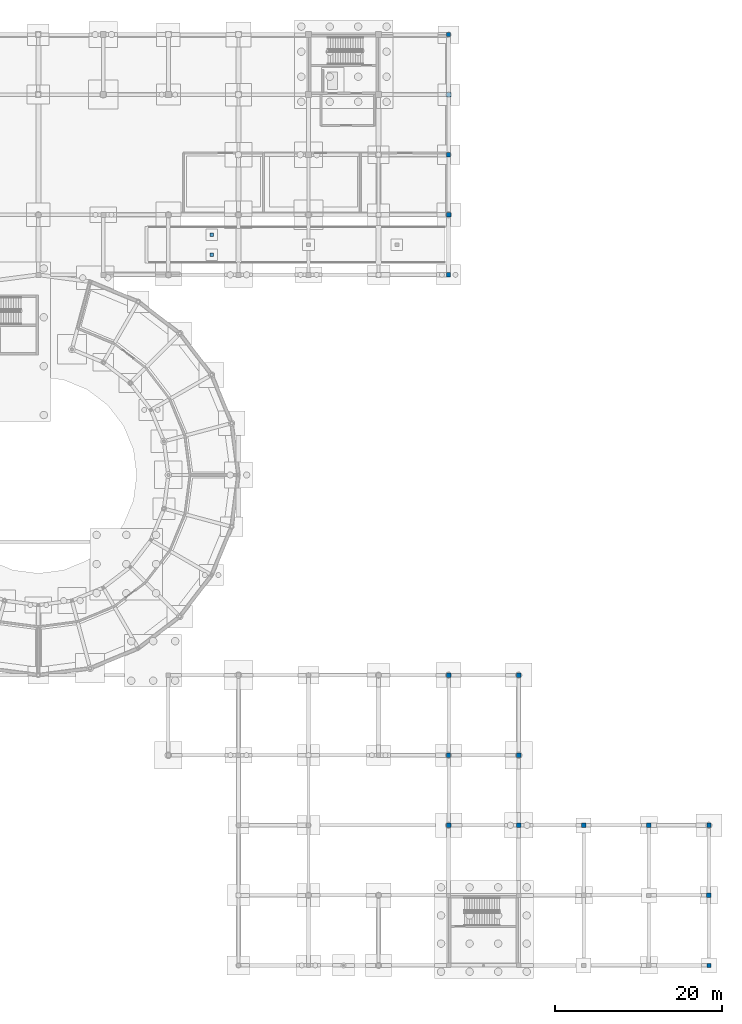
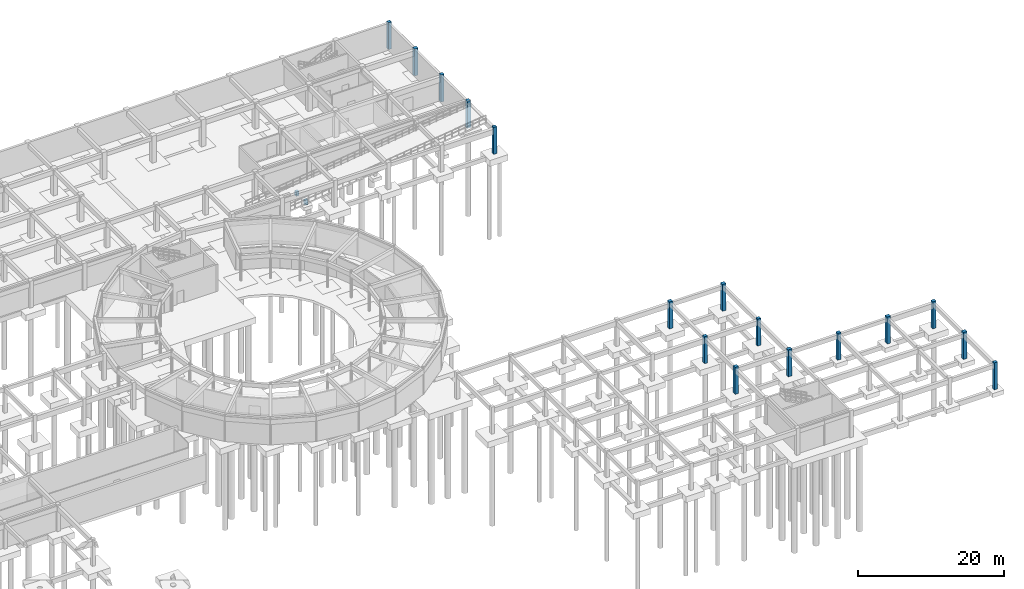
# One storey, part 23 of 43: 18 columns.
"""IFC4 building model written with IfcOpenShell, lengths in metres."""

from ifc_helpers import new_model, si_unit, derived_unit, direction, frame, origin, origin_2d, place, context, subcontext, project, spatial, rectangle, extrude, material, material_profile, profile_set, type_object, element, save


model = new_model("IFC4")

# Units and contexts
model_context = context("Model", 3, precision=1e-05, world=origin(), true_north=direction((0.0, 1.0)))
body_context = subcontext(model_context, "Body", "Model", "MODEL_VIEW")
ifc_project = project(units=[si_unit("LENGTHUNIT", "METRE"), si_unit("AREAUNIT", "SQUARE_METRE"), si_unit("VOLUMEUNIT", "CUBIC_METRE"), si_unit("PLANEANGLEUNIT", "RADIAN"), si_unit("MASSUNIT", "GRAM", prefix="KILO"), derived_unit("THERMALTRANSMITTANCEUNIT", [(si_unit("POWERUNIT", "WATT"), 1), (si_unit("AREAUNIT", "SQUARE_METRE"), -1), (si_unit("THERMODYNAMICTEMPERATUREUNIT", "KELVIN"), -1)])], contexts=[model_context])

# Site, building, storey
site_placement = place(None, origin())
site = spatial("IfcSite", under=ifc_project, at=site_placement, CompositionType="ELEMENT")
building_placement = place(site_placement, origin())
building = spatial("IfcBuilding", under=site, at=building_placement, Name="Yasenodar Specialist Clinic", CompositionType="ELEMENT")
storey_placement = place(building_placement, frame((0.0, 0.0, -4.5)))
storey = spatial("IfcBuildingStorey", under=building, at=storey_placement, Name="B1", CompositionType="ELEMENT", Elevation=-4.5)

# Columns
ifc_material = material(Name="Concrete C35/45", Category="concrete")
ifc_material_profile_1 = material_profile(ifc_material, rectangle(XDim=0.449951171875, YDim=0.449951171875, at=origin_2d()), Name="RC 450x450")
ifc_profile_set_1 = profile_set([ifc_material_profile_1], Name="Concrete C35/45")
column_type_1 = type_object("IfcColumnType", Name="COL-RC-450", PredefinedType="COLUMN", material=ifc_profile_set_1)
for number, where, z_axis, x_axis, name in (
    (1, (101.800048828125, 85.199951171875, 0.0), (0.0, 0.0, 1.0), (1.0, 0.0, 0.0), "B1 Vehicle Ramp RMP-01 Support Pier 1"),
    (2, (101.800048828125, 87.60009765625, 0.0), (0.0, 0.0, 1.0), (1.0, 0.0, 0.0), "B1 Vehicle Ramp RMP-01 Support Pier 2"),
):
    element("IfcColumn", number, at=place(storey_placement, frame(where, z_axis=z_axis, x_axis=x_axis)), inside=storey, type_object=column_type_1, Name=name, PredefinedType="COLUMN", context=body_context, shape_type="SweptSolid", body=[
        extrude(rectangle(XDim=0.449951171875, YDim=0.449951171875, at=origin_2d()), origin(), (0.0, 0.0, 1.0), 0.73876953125),
    ])
ifc_material_profile_2 = material_profile(ifc_material, rectangle(XDim=0.5, YDim=0.5, at=origin_2d()), Name="RC 500x500")
ifc_profile_set_2 = profile_set([ifc_material_profile_2], Name="Concrete C35/45")
column_type_2 = type_object("IfcColumnType", Name="COL-RC-500", PredefinedType="COLUMN", material=ifc_profile_set_2)
for number, where, z_axis, x_axis, name in (
    (3, (130.199951171875, 25.199951171875, 0.0), (0.0, 0.0, 1.0), (1.0, 0.0, 0.0), "B1 Column V3-149"),
    (4, (130.199951171875, 82.800048828125, 0.0), (0.0, 0.0, 1.0), (1.0, 0.0, 0.0), "B1 Column V5R-151"),
    (5, (130.199951171875, 97.199951171875, 0.0), (0.0, 0.0, 1.0), (1.0, 0.0, 0.0), "B1 Column V5R-153"),
    (6, (130.199951171875, 111.60009765625, 0.0), (0.0, 0.0, 1.0), (1.0, 0.0, 0.0), "B1 Column V5R-155"),
    (7, (138.60009765625, 25.199951171875, 0.0), (0.0, 0.0, 1.0), (1.0, 0.0, 0.0), "B1 Column V3-159"),
    (8, (146.39990234375, 16.800048828125, 0.0), (0.0, 0.0, 1.0), (1.0, 0.0, 0.0), "B1 Column V3E-163"),
    (9, (161.39990234375, 0.0, 0.0), (0.0, 0.0, 1.0), (1.0, 0.0, 0.0), "B1 Column V3E-167"),
    (10, (161.39990234375, 16.800048828125, 0.0), (0.0, 0.0, 1.0), (1.0, 0.0, 0.0), "B1 Column V3E-169"),
):
    element("IfcColumn", number, at=place(storey_placement, frame(where, z_axis=z_axis, x_axis=x_axis)), inside=storey, type_object=column_type_2, Name=name, PredefinedType="COLUMN", context=body_context, shape_type="SweptSolid", body=[
        extrude(rectangle(XDim=0.5, YDim=0.5, at=origin_2d()), origin(), (0.0, 0.0, 1.0), 4.5),
    ])
ifc_material_profile_3 = material_profile(ifc_material, rectangle(XDim=0.550048828125, YDim=0.550048828125, at=origin_2d()), Name="RC 550x550")
ifc_profile_set_3 = profile_set([ifc_material_profile_3], Name="Concrete C35/45")
column_type_3 = type_object("IfcColumnType", Name="COL-RC-550", PredefinedType="COLUMN", material=ifc_profile_set_3)
for number, where, z_axis, x_axis, name in (
    (11, (130.199951171875, 16.800048828125, 0.0), (0.0, 0.0, 1.0), (1.0, 0.0, 0.0), "B1 Column V3-148"),
    (12, (130.199951171875, 34.800048828125, 0.0), (0.0, 0.0, 1.0), (1.0, 0.0, 0.0), "B1 Column V3-150"),
    (13, (130.199951171875, 90.0, 0.0), (0.0, 0.0, 1.0), (1.0, 0.0, 0.0), "B1 Column V5R-152"),
    (14, (130.199951171875, 104.39990234375, 0.0), (0.0, 0.0, 1.0), (1.0, 0.0, 0.0), "B1 Column V5R-154"),
    (15, (138.60009765625, 16.800048828125, 0.0), (0.0, 0.0, 1.0), (1.0, 0.0, 0.0), "B1 Column V3-158"),
    (16, (138.60009765625, 34.800048828125, 0.0), (0.0, 0.0, 1.0), (1.0, 0.0, 0.0), "B1 Column V3-160"),
    (17, (154.199951171875, 16.800048828125, 0.0), (0.0, 0.0, 1.0), (1.0, 0.0, 0.0), "B1 Column V3E-166"),
    (18, (161.39990234375, 8.39990234375, 0.0), (0.0, 0.0, 1.0), (1.0, 0.0, 0.0), "B1 Column V3E-168"),
):
    element("IfcColumn", number, at=place(storey_placement, frame(where, z_axis=z_axis, x_axis=x_axis)), inside=storey, type_object=column_type_3, Name=name, PredefinedType="COLUMN", context=body_context, shape_type="SweptSolid", body=[
        extrude(rectangle(XDim=0.550048828125, YDim=0.550048828125, at=origin_2d()), origin(), (0.0, 0.0, 1.0), 4.5),
    ])

save(model, "model.ifc")
